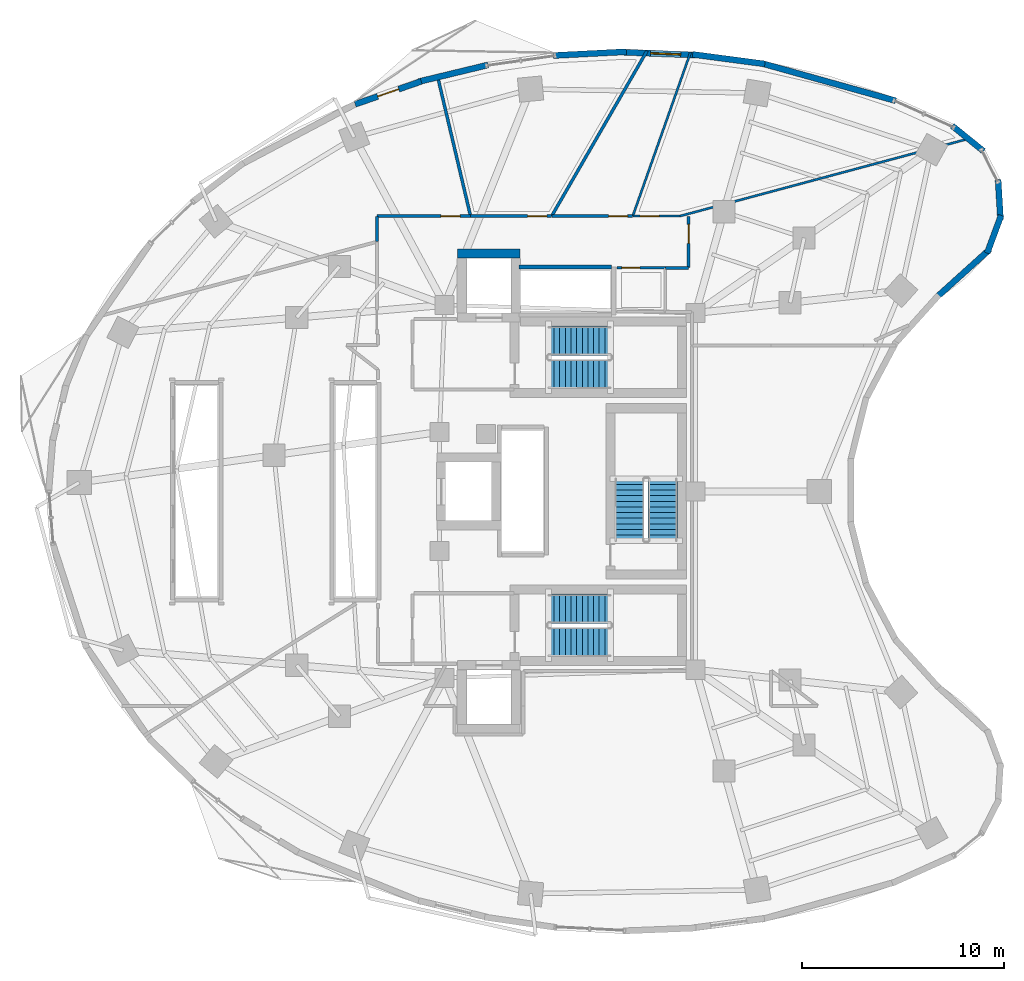
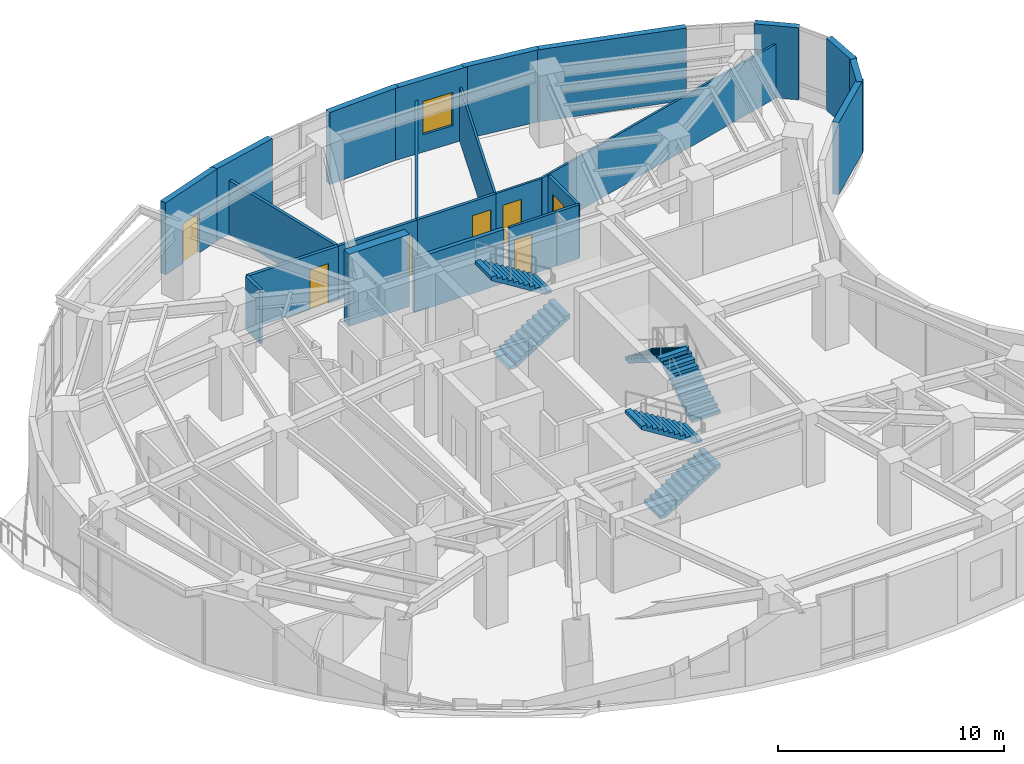
# One storey, part 10 of 12: 24 walls, 7 doors, 6 stair flights, 1 window, 8 openings, 3 elements without a shape of their own.
"""IFC4 building model written with IfcOpenShell, lengths in metres."""

from ifc_helpers import new_model, si_unit, direction, frame, frame_2d, origin, place, context, subcontext, project, spatial, polyline, rectangle, outline, extrude, material, layer, layer_set, type_object, element, fill, aggregate, save


model = new_model("IFC4")

# Units and contexts
model_context = context("Model", 3, precision=1e-05, world=origin(), true_north=direction((0.0, 1.0)))
body_context = subcontext(model_context, "Body", "Model", "MODEL_VIEW")
ifc_project = project(units=[si_unit("LENGTHUNIT", "METRE"), si_unit("AREAUNIT", "SQUARE_METRE"), si_unit("VOLUMEUNIT", "CUBIC_METRE"), si_unit("PLANEANGLEUNIT", "RADIAN"), si_unit("MASSUNIT", "GRAM", prefix="KILO")], contexts=[model_context])

# Site, building, storey
site_placement = place(None, origin())
site = spatial("IfcSite", under=ifc_project, at=site_placement, CompositionType="ELEMENT")
building_placement = place(site_placement, origin())
building = spatial("IfcBuilding", under=site, at=building_placement, Name="Korentha Bioscience Tower", CompositionType="ELEMENT")
storey_placement = place(building_placement, frame((0.0, 0.0, 136.199951171875)))
storey = spatial("IfcBuildingStorey", under=building, at=storey_placement, Name="L31", CompositionType="ELEMENT", Elevation=136.199951171875)

# Wall, opening, door
ifc_material_1 = material(Name="Double-Stud Acoustic Gypsum", Category="gypsum")
ifc_layer_1 = layer(ifc_material_1, 0.14990234375, Name="Double-Stud Acoustic Gypsum")
ifc_layer_set_1 = layer_set([ifc_layer_1], Name="Double-Stud Acoustic Gypsum (IW-L150)")
wall_type_1 = type_object("IfcWallType", Name="Acoustic Laboratory Partition Wall 150", PredefinedType="PARTITIONING", material=ifc_layer_set_1)
wall_1_placement = place(storey_placement, frame((37.2099609375, 38.10009765625, 0.0), z_axis=(0.0, 0.0, 1.0), x_axis=(0.0, 1.0, 0.0)))
wall_1 = element("IfcWall", 1, at=wall_1_placement, inside=storey, type_object=wall_type_1, Name="L31 Principal Investigator Office 03 Entrance Wall", PredefinedType="PARTITIONING", context=body_context, shape_type="SweptSolid", body=[
    extrude(rectangle(XDim=2.5498046875, YDim=0.14990234375, at=frame_2d((1.27490234375, 0.0))), origin(), (0.0, 0.0, 1.0), 2.91015625),
])
opening_1_placement = place(wall_1_placement, frame((1.199951171875, 0.0, 0.0)))
opening_1 = element("IfcOpeningElement", 2, at=opening_1_placement, cuts=wall_1, Name="Opening ID-10L", PredefinedType="OPENING", context=body_context, shape_type="SweptSolid", body=[
    extrude(rectangle(XDim=0.949951171875, YDim=2.14990234375, at=frame_2d((0.47509765625, 1.074951171875))), frame((0.0, 0.08984375, 0.0), z_axis=(0.0, -1.0, 0.0), x_axis=(1.0, 0.0, 0.0)), (0.0, 0.0, 1.0), 0.1796875),
])
ifc_material_2 = material(Name="Phenolic Laminate Timber Core", Category="wood")
door_type_1 = type_object("IfcDoorType", Name="Laboratory Single Leaf Door 950x2150 Left", OperationType="SINGLE_SWING_LEFT", PredefinedType="DOOR", material=ifc_material_2)
door_1_placement = place(opening_1_placement, origin())
door_1 = element("IfcDoor", 3, at=door_1_placement, inside=storey, type_object=door_type_1, Name="L31 Principal Investigator Office 03 Door", OperationType="SINGLE_SWING_LEFT", OverallHeight=2.14990234375, OverallWidth=0.949951171875, PredefinedType="DOOR", context=body_context, shape_type="SweptSolid", body=[
    extrude(rectangle(XDim=0.949951171875, YDim=2.14990234375, at=frame_2d((0.47509765625, 1.074951171875))), frame((0.0, 0.02490234375, 0.0), z_axis=(0.0, -1.0, 0.0), x_axis=(1.0, 0.0, 0.0)), (0.0, 0.0, 1.0), 0.050048828125),
])
fill(opening_1, door_1)

wall_2_placement = place(storey_placement, frame((30.409912109375, 40.659912109375, 0.0), z_axis=(0.0, 0.0, 1.0), x_axis=(-1.0, 0.0, 0.0)))
wall_2 = element("IfcWall", 4, at=wall_2_placement, inside=storey, type_object=wall_type_1, Name="L31 Staff Pantry Kitchenette 04 Entrance Wall", PredefinedType="PARTITIONING", context=body_context, shape_type="SweptSolid", body=[
    extrude(rectangle(XDim=4.024658203125, YDim=0.14990234375, at=frame_2d((2.01220703125, 0.0))), origin(), (0.0, 0.0, 1.0), 2.91015625),
])
opening_2_placement = place(wall_2_placement, frame((0.239990234375, 0.0, 0.0)))
opening_2 = element("IfcOpeningElement", 5, at=opening_2_placement, cuts=wall_2, Name="Opening ID-10R", PredefinedType="OPENING", context=body_context, shape_type="SweptSolid", body=[
    extrude(rectangle(XDim=0.949951171875, YDim=2.14990234375, at=frame_2d((0.47509765625, 1.074951171875))), frame((0.0, 0.08984375, 0.0), z_axis=(0.0, -1.0, 0.0), x_axis=(1.0, 0.0, 0.0)), (0.0, 0.0, 1.0), 0.1796875),
])
door_type_2 = type_object("IfcDoorType", Name="Laboratory Single Leaf Door 950x2150 Right", OperationType="SINGLE_SWING_RIGHT", PredefinedType="DOOR", material=ifc_material_2)
door_2_placement = place(opening_2_placement, origin())
door_2 = element("IfcDoor", 6, at=door_2_placement, inside=storey, type_object=door_type_2, Name="L31 Staff Pantry Kitchenette 04 Door", OperationType="SINGLE_SWING_RIGHT", OverallHeight=2.14990234375, OverallWidth=0.949951171875, PredefinedType="DOOR", context=body_context, shape_type="SweptSolid", body=[
    extrude(rectangle(XDim=0.949951171875, YDim=2.14990234375, at=frame_2d((0.47509765625, 1.074951171875))), frame((0.0, 0.02490234375, 0.0), z_axis=(0.0, -1.0, 0.0), x_axis=(1.0, 0.0, 0.0)), (0.0, 0.0, 1.0), 0.050048828125),
])
fill(opening_2, door_2)

wall_3_placement = place(storey_placement, frame((34.422607421875, 40.659912109375, 0.0), z_axis=(0.0, 0.0, 1.0), x_axis=(-1.0, 0.0, 0.0)))
wall_3 = element("IfcWall", 7, at=wall_3_placement, inside=storey, type_object=wall_type_1, Name="L31 Colloquium Huddle Room 05 Entrance Wall", PredefinedType="PARTITIONING", context=body_context, shape_type="SweptSolid", body=[
    extrude(rectangle(XDim=4.001220703125, YDim=0.14990234375, at=frame_2d((2.00048828125, 0.0))), origin(), (0.0, 0.0, 1.0), 2.91015625),
])
opening_3_placement = place(wall_3_placement, frame((0.239990234375, 0.0, 0.0)))
opening_3 = element("IfcOpeningElement", 8, at=opening_3_placement, cuts=wall_3, Name="Opening ID-10L", PredefinedType="OPENING", context=body_context, shape_type="SweptSolid", body=[
    extrude(rectangle(XDim=0.949951171875, YDim=2.14990234375, at=frame_2d((0.47509765625, 1.074951171875))), frame((0.0, 0.08984375, 0.0), z_axis=(0.0, -1.0, 0.0), x_axis=(1.0, 0.0, 0.0)), (0.0, 0.0, 1.0), 0.1796875),
])
door_3_placement = place(opening_3_placement, origin())
door_3 = element("IfcDoor", 9, at=door_3_placement, inside=storey, type_object=door_type_1, Name="L31 Colloquium Huddle Room 05 Door", OperationType="SINGLE_SWING_LEFT", OverallHeight=2.14990234375, OverallWidth=0.949951171875, PredefinedType="DOOR", context=body_context, shape_type="SweptSolid", body=[
    extrude(rectangle(XDim=0.949951171875, YDim=2.14990234375, at=frame_2d((0.47509765625, 1.074951171875))), frame((0.0, 0.02490234375, 0.0), z_axis=(0.0, -1.0, 0.0), x_axis=(1.0, 0.0, 0.0)), (0.0, 0.0, 1.0), 0.050048828125),
])
fill(opening_3, door_3)

# Walls
wall_4_placement = place(storey_placement, frame((36.06005859375, 38.090087890625, 0.0), z_axis=(0.0, 0.0, 1.0), x_axis=(1.0, 0.0, 0.0)))
element("IfcWall", 10, at=wall_4_placement, inside=storey, type_object=wall_type_1, Name="L31 Interior Partition 033", PredefinedType="PARTITIONING", context=body_context, shape_type="SweptSolid", body=[
    extrude(rectangle(XDim=1.139892578125, YDim=0.14990234375, at=frame_2d((0.56982421875, 0.0))), origin(), (0.0, 0.0, 1.0), 2.91015625),
])
wall_5_placement = place(storey_placement, frame((35.139404296875, 48.85205078125, 0.0), z_axis=(0.0, 0.0, 1.0), x_axis=(-0.499980869596, -0.866036448446, 0.0)))
element("IfcWall", 11, at=wall_5_placement, inside=storey, type_object=wall_type_1, Name="L31 Interior Partition 034", PredefinedType="PARTITIONING", context=body_context, shape_type="SweptSolid", body=[
    extrude(rectangle(XDim=9.459228515625, YDim=0.14990234375, at=frame_2d((4.7294921875, 0.0))), origin(), (0.0, 0.0, 1.0), 2.91015625),
])
wall_6_placement = place(storey_placement, frame((26.38525390625, 40.659912109375, 0.0), z_axis=(0.0, 0.0, 1.0), x_axis=(-0.229741864883, 0.97325159929, 0.0)))
element("IfcWall", 12, at=wall_6_placement, inside=storey, type_object=wall_type_1, Name="L31 Interior Partition 035", PredefinedType="PARTITIONING", context=body_context, shape_type="SweptSolid", body=[
    extrude(rectangle(XDim=7.204833984375, YDim=0.14990234375, at=frame_2d((3.6025390625, 0.0))), origin(), (0.0, 0.0, 1.0), 2.91015625),
])

# Wall, opening, door
ifc_material_3 = material(Name="Fire-Rated Framed Glass", Category="glass")
ifc_layer_2 = layer(ifc_material_3, 0.110107421875, Name="Fire-Rated Framed Glass")
ifc_layer_set_2 = layer_set([ifc_layer_2], Name="Fire-Rated Framed Glass (IW-G110)")
wall_type_2 = type_object("IfcWallType", Name="Demountable Glazed Office Partition 110", PredefinedType="MOVABLE", material=ifc_layer_set_2)
wall_7_placement = place(storey_placement, frame((36.776123046875, 40.659912109375, 0.0), z_axis=(0.0, 0.0, 1.0), x_axis=(-1.0, 0.0, 0.0)))
wall_7 = element("IfcWall", 13, at=wall_7_placement, inside=storey, type_object=wall_type_2, Name="L31 Principal Investigator Office 02 Entrance Wall", PredefinedType="MOVABLE", context=body_context, shape_type="SweptSolid", body=[
    extrude(rectangle(XDim=2.343505859375, YDim=0.110107421875, at=frame_2d((1.171875, 0.0))), origin(), (0.0, 0.0, 1.0), 2.91015625),
])
opening_4_placement = place(wall_7_placement, frame((1.033203125, 0.0, 0.0)))
opening_4 = element("IfcOpeningElement", 14, at=opening_4_placement, cuts=wall_7, Name="Opening ID-10R", PredefinedType="OPENING", context=body_context, shape_type="SweptSolid", body=[
    extrude(rectangle(XDim=0.949951171875, YDim=2.14990234375, at=frame_2d((0.47509765625, 1.074951171875))), frame((0.0, 0.06982421875, 0.0), z_axis=(0.0, -1.0, 0.0), x_axis=(1.0, 0.0, 0.0)), (0.0, 0.0, 1.0), 0.139892578125),
])
door_4_placement = place(opening_4_placement, origin())
door_4 = element("IfcDoor", 15, at=door_4_placement, inside=storey, type_object=door_type_2, Name="L31 Principal Investigator Office 02 Door", OperationType="SINGLE_SWING_RIGHT", OverallHeight=2.14990234375, OverallWidth=0.949951171875, PredefinedType="DOOR", context=body_context, shape_type="SweptSolid", body=[
    extrude(rectangle(XDim=0.949951171875, YDim=2.14990234375, at=frame_2d((0.47509765625, 1.074951171875))), frame((0.0, 0.02490234375, 0.0), z_axis=(0.0, -1.0, 0.0), x_axis=(1.0, 0.0, 0.0)), (0.0, 0.0, 1.0), 0.050048828125),
])
fill(opening_4, door_4)

# Walls
wall_8_placement = place(storey_placement, frame((51.16162109375, 44.5146484375, 0.0), z_axis=(0.0, 0.0, 1.0), x_axis=(-0.965923245436, -0.258828676785, 0.0)))
element("IfcWall", 16, at=wall_8_placement, inside=storey, type_object=wall_type_2, Name="L31 Interior Partition 028", PredefinedType="MOVABLE", context=body_context, shape_type="SweptSolid", body=[
    extrude(rectangle(XDim=14.89306640625, YDim=0.110107421875, at=frame_2d((7.446533203125, 0.0))), origin(), (0.0, 0.0, 1.0), 2.91015625),
])
wall_9_placement = place(storey_placement, frame((34.4326171875, 40.659912109375, 0.0), z_axis=(0.0, 0.0, 1.0), x_axis=(0.332889773539, 0.942965746288, 0.0)))
element("IfcWall", 17, at=wall_9_placement, inside=storey, type_object=wall_type_2, Name="L31 Interior Partition 029", PredefinedType="MOVABLE", context=body_context, shape_type="SweptSolid", body=[
    extrude(rectangle(XDim=8.61669921875, YDim=0.110107421875, at=frame_2d((4.308349609375, 0.0))), origin(), (0.0, 0.0, 1.0), 2.91015625),
])

# Wall, opening, door
ifc_material_4 = material(Name="Gypsum-Clad Steel Stud", Category="steel")
ifc_layer_3 = layer(ifc_material_4, 0.159912109375, Name="Gypsum-Clad Steel Stud")
ifc_layer_set_3 = layer_set([ifc_layer_3], Name="Gypsum-Clad Steel Stud (IW-C160)")
wall_type_3 = type_object("IfcWallType", Name="Fire-Rated Corridor Partition Wall 160", PredefinedType="PARTITIONING", material=ifc_layer_set_3)
wall_10_placement = place(storey_placement, frame((26.375, 40.659912109375, 0.0), z_axis=(0.0, 0.0, 1.0), x_axis=(-1.0, 0.0, 0.0)))
wall_10 = element("IfcWall", 18, at=wall_10_placement, inside=storey, type_object=wall_type_3, Name="L31 Specimen Barcoding Receiving Room 07 Entrance Wall", PredefinedType="PARTITIONING", context=body_context, shape_type="SweptSolid", body=[
    extrude(rectangle(XDim=4.625, YDim=0.159912109375, at=frame_2d((2.3125, 0.0))), origin(), (0.0, 0.0, 1.0), 2.91015625),
])
opening_5_placement = place(wall_10_placement, frame((0.510498046875, 0.0, 0.0)))
opening_5 = element("IfcOpeningElement", 19, at=opening_5_placement, cuts=wall_10, Name="Opening ID-10L", PredefinedType="OPENING", context=body_context, shape_type="SweptSolid", body=[
    extrude(rectangle(XDim=0.949951171875, YDim=2.14990234375, at=frame_2d((0.47509765625, 1.074951171875))), frame((0.0, 0.0947265625, 0.0), z_axis=(0.0, -1.0, 0.0), x_axis=(1.0, 0.0, 0.0)), (0.0, 0.0, 1.0), 0.189697265625),
])
door_5_placement = place(opening_5_placement, origin())
door_5 = element("IfcDoor", 20, at=door_5_placement, inside=storey, type_object=door_type_1, Name="L31 Specimen Barcoding Receiving Room 07 Door", OperationType="SINGLE_SWING_LEFT", OverallHeight=2.14990234375, OverallWidth=0.949951171875, PredefinedType="DOOR", context=body_context, shape_type="SweptSolid", body=[
    extrude(rectangle(XDim=0.949951171875, YDim=2.14990234375, at=frame_2d((0.47509765625, 1.074951171875))), frame((0.0, 0.02490234375, 0.0), z_axis=(0.0, -1.0, 0.0), x_axis=(1.0, 0.0, 0.0)), (0.0, 0.0, 1.0), 0.050048828125),
])
fill(opening_5, door_5)

# Wall
wall_11_placement = place(storey_placement, frame((21.739990234375, 40.64990234375, 0.0), z_axis=(0.0, 0.0, 1.0), x_axis=(0.0, -1.0, 0.0)))
element("IfcWall", 21, at=wall_11_placement, inside=storey, type_object=wall_type_3, Name="L31 Interior Partition 048", PredefinedType="PARTITIONING", context=body_context, shape_type="SweptSolid", body=[
    extrude(rectangle(XDim=1.25732421875, YDim=0.159912109375, at=frame_2d((0.628662109375, 0.0))), origin(), (0.0, 0.0, 1.0), 2.91015625),
])

# Wall, opening, window
ifc_material_5 = material(Name="Honed Limestone Precast Concrete C40", Category="masonry")
ifc_layer_4 = layer(ifc_material_5, 0.300048828125, Name="Honed Limestone Precast Concrete C40")
ifc_layer_set_4 = layer_set([ifc_layer_4], Name="Honed Limestone Precast Concrete C40 (EW-ST300)")
wall_type_4 = type_object("IfcWallType", Name="Honed Limestone Cavity Spandrel Wall 300", PredefinedType="STANDARD", material=ifc_layer_set_4)
wall_12_placement = place(storey_placement, frame((37.5537109375, 48.64697265625, 0.0), z_axis=(0.0, 0.0, 1.0), x_axis=(-0.999210691503, 0.039723972445, 0.0)))
wall_12 = element("IfcWall", 22, at=wall_12_placement, inside=storey, type_object=wall_type_4, Name="L31 Honed Limestone Spandrel Wall 05", PredefinedType="STANDARD", context=body_context, shape_type="SweptSolid", body=[
    extrude(rectangle(XDim=3.595458984375, YDim=0.300048828125, at=frame_2d((1.7978515625, 0.0))), origin(), (0.0, 0.0, 1.0), 3.900146484375),
])
opening_6_placement = place(wall_12_placement, frame((0.739013671875, 0.0, 0.949951171875)))
opening_6 = element("IfcOpeningElement", 23, at=opening_6_placement, cuts=wall_12, Name="Opening WN-02", PredefinedType="OPENING", context=body_context, shape_type="SweptSolid", body=[
    extrude(rectangle(XDim=1.5, YDim=1.800048828125, at=frame_2d((0.75, 0.89990234375))), frame((0.0, 0.1650390625, 0.0), z_axis=(0.0, -1.0, 0.0), x_axis=(1.0, 0.0, 0.0)), (0.0, 0.0, 1.0), 0.329833984375),
])
ifc_material_6 = material(Name="Thermally Broken Aluminium Triple Glazing", Category="aluminium")
window_type = type_object("IfcWindowType", Name="Acoustic Operable Office Window 1500x1800", PartitioningType="DOUBLE_PANEL_VERTICAL", PredefinedType="WINDOW", material=ifc_material_6)
window_placement = place(opening_6_placement, origin())
window = element("IfcWindow", 24, at=window_placement, inside=storey, type_object=window_type, Name="L31 Facade Window 05", OverallHeight=1.800048828125, OverallWidth=1.5, PartitioningType="DOUBLE_PANEL_VERTICAL", PredefinedType="WINDOW", context=body_context, shape_type="SweptSolid", body=[
    extrude(rectangle(XDim=1.5, YDim=1.800048828125, at=frame_2d((0.75, 0.89990234375))), frame((0.0, 0.030029296875, 0.0), z_axis=(0.0, -1.0, 0.0), x_axis=(1.0, 0.0, 0.0)), (0.0, 0.0, 1.0), 0.06005859375),
])
fill(opening_6, window)

# Wall, opening, door
wall_13_placement = place(storey_placement, frame((23.938232421875, 47.34326171875, 0.0), z_axis=(0.0, 0.0, 1.0), x_axis=(-0.944878029854, -0.3274225232, 0.0)))
wall_13 = element("IfcWall", 25, at=wall_13_placement, inside=storey, type_object=wall_type_4, Name="L31 Balcony Threshold Wall 01", PredefinedType="STANDARD", context=body_context, shape_type="SweptSolid", body=[
    extrude(rectangle(XDim=3.46728515625, YDim=0.300048828125, at=frame_2d((1.733642578125, 0.0))), origin(), (0.0, 0.0, 1.0), 3.900146484375),
])
opening_7_placement = place(wall_13_placement, frame((1.18359375, 0.0, 0.0)))
opening_7 = element("IfcOpeningElement", 26, at=opening_7_placement, cuts=wall_13, Name="Opening BD-11L", PredefinedType="OPENING", context=body_context, shape_type="SweptSolid", body=[
    extrude(rectangle(XDim=1.10009765625, YDim=2.14990234375, at=frame_2d((0.550048828125, 1.074951171875))), frame((0.0, 0.1650390625, 0.0), z_axis=(0.0, -1.0, 0.0), x_axis=(1.0, 0.0, 0.0)), (0.0, 0.0, 1.0), 0.329833984375),
])
ifc_material_7 = material(Name="Thermally Broken Glazed Aluminium", Category="aluminium")
door_type_3 = type_object("IfcDoorType", Name="Balcony Terrace Glazed Door 1100x2150 Left", OperationType="SINGLE_SWING_LEFT", PredefinedType="DOOR", material=ifc_material_7)
door_6_placement = place(opening_7_placement, origin())
door_6 = element("IfcDoor", 27, at=door_6_placement, inside=storey, type_object=door_type_3, Name="L31 Balcony Access Door 01", OperationType="SINGLE_SWING_LEFT", OverallHeight=2.14990234375, OverallWidth=1.10009765625, PredefinedType="DOOR", context=body_context, shape_type="SweptSolid", body=[
    extrude(rectangle(XDim=1.10009765625, YDim=2.14990234375, at=frame_2d((0.550048828125, 1.074951171875))), frame((0.0, 0.02490234375, 0.0), z_axis=(0.0, -1.0, 0.0), x_axis=(1.0, 0.0, 0.0)), (0.0, 0.0, 1.0), 0.050048828125),
])
fill(opening_7, door_6)

# Walls
wall_14_placement = place(storey_placement, frame((47.47900390625, 46.380126953125, 0.0), z_axis=(0.0, 0.0, 1.0), x_axis=(-0.963116215402, 0.269085777459, 0.0)))
element("IfcWall", 28, at=wall_14_placement, inside=storey, type_object=wall_type_4, Name="L31 Limestone Perimeter Closure Wall 02", PredefinedType="STANDARD", context=body_context, shape_type="SweptSolid", body=[
    extrude(rectangle(XDim=6.923583984375, YDim=0.300048828125, at=frame_2d((3.4619140625, 0.0))), origin(), (0.0, 0.0, 1.0), 3.900146484375),
])
wall_15_placement = place(storey_placement, frame((40.986572265625, 48.20703125, 0.0), z_axis=(0.0, 0.0, 1.0), x_axis=(-0.991372969521, 0.131071107816, 0.0)))
element("IfcWall", 29, at=wall_15_placement, inside=storey, type_object=wall_type_4, Name="L31 Limestone Perimeter Closure Wall 04", PredefinedType="STANDARD", context=body_context, shape_type="SweptSolid", body=[
    extrude(rectangle(XDim=3.615478515625, YDim=0.300048828125, at=frame_2d((1.8076171875, 0.0))), origin(), (0.0, 0.0, 1.0), 3.900146484375),
])
wall_16_placement = place(storey_placement, frame((34.114501953125, 48.8115234375, 0.0), z_axis=(0.0, 0.0, 1.0), x_axis=(-0.998674767218, -0.051465613004, 0.0)))
element("IfcWall", 30, at=wall_16_placement, inside=storey, type_object=wall_type_4, Name="L31 Limestone Perimeter Closure Wall 06", PredefinedType="STANDARD", context=body_context, shape_type="SweptSolid", body=[
    extrude(rectangle(XDim=3.6337890625, YDim=0.300048828125, at=frame_2d((1.81689453125, 0.0))), origin(), (0.0, 0.0, 1.0), 3.900146484375),
])
wall_17_placement = place(storey_placement, frame((27.2529296875, 48.157958984375, 0.0), z_axis=(0.0, 0.0, 1.0), x_axis=(-0.972043452321, -0.234801036625, 0.0)))
element("IfcWall", 31, at=wall_17_placement, inside=storey, type_object=wall_type_4, Name="L31 Limestone Perimeter Closure Wall 08", PredefinedType="STANDARD", context=body_context, shape_type="SweptSolid", body=[
    extrude(rectangle(XDim=3.568603515625, YDim=0.300048828125, at=frame_2d((1.7841796875, 0.0))), origin(), (0.0, 0.0, 1.0), 3.900146484375),
])
wall_18_placement = place(storey_placement, frame((49.51318359375, 36.6357421875, 0.0), z_axis=(0.0, 0.0, 1.0), x_axis=(0.74255963233, 0.669779958221, 0.0)))
element("IfcWall", 32, at=wall_18_placement, inside=storey, type_object=wall_type_4, Name="L31 Limestone Perimeter Closure Wall 57", PredefinedType="STANDARD", context=body_context, shape_type="SweptSolid", body=[
    extrude(rectangle(XDim=3.5390625, YDim=0.300048828125, at=frame_2d((1.76953125, 0.0))), origin(), (0.0, 0.0, 1.0), 3.900146484375),
])
wall_19_placement = place(storey_placement, frame((52.016357421875, 38.822265625, 0.0), z_axis=(0.0, 0.0, 1.0), x_axis=(0.347370087337, 0.937728117539, 0.0)))
element("IfcWall", 33, at=wall_19_placement, inside=storey, type_object=wall_type_4, Name="L31 Limestone Perimeter Closure Wall 59", PredefinedType="STANDARD", context=body_context, shape_type="SweptSolid", body=[
    extrude(rectangle(XDim=1.997314453125, YDim=0.300048828125, at=frame_2d((0.99853515625, 0.0))), origin(), (0.0, 0.0, 1.0), 3.900146484375),
])
for number, where, z_axis, x_axis, name in (
    (34, (52.678955078125, 40.4833984375, 0.0), (0.0, 0.0, 1.0), (-0.060255200356, 0.998183004679, 0.0), "L31 Limestone Perimeter Closure Wall 60"),
    (35, (51.83642578125, 43.880615234375, 0.0), (0.0, 0.0, 1.0), (-0.777338789647, 0.629082193445, 0.0), "L31 Limestone Perimeter Closure Wall 62"),
):
    element("IfcWall", number, at=place(storey_placement, frame(where, z_axis=z_axis, x_axis=x_axis)), inside=storey, type_object=wall_type_4, Name=name, PredefinedType="STANDARD", context=body_context, shape_type="SweptSolid", body=[
        extrude(rectangle(XDim=1.99755859375, YDim=0.300048828125, at=frame_2d((0.998779296875, 0.0))), origin(), (0.0, 0.0, 1.0), 3.900146484375),
    ])
ifc_material_8 = material(Name="Autoclaved Aerated Concrete Block C25", Category="concrete")
ifc_layer_5 = layer(ifc_material_8, 0.199951171875, Name="Autoclaved Aerated Concrete Block C25")
ifc_layer_set_5 = layer_set([ifc_layer_5], Name="Autoclaved Aerated Concrete Block C25 (IW-S200)")
wall_type_5 = type_object("IfcWallType", Name="Lift and Riser Shaft Enclosure Wall 200", PredefinedType="PARTITIONING", material=ifc_layer_set_5)
wall_20_placement = place(storey_placement, frame((28.800048828125, 38.139892578125, 0.0), z_axis=(0.0, 0.0, 1.0), x_axis=(1.0, 0.0, 0.0)))
element("IfcWall", 36, at=wall_20_placement, inside=storey, type_object=wall_type_5, Name="L31 Lift Bank OBS Shaft Wall +Y", PredefinedType="PARTITIONING", context=body_context, shape_type="SweptSolid", body=[
    extrude(rectangle(XDim=4.570068359375, YDim=0.199951171875, at=frame_2d((2.28515625, 0.0))), origin(), (0.0, 0.0, 1.0), 2.91015625),
])
ifc_material_9 = material(Name="Concrete C80", Category="concrete")
ifc_layer_6 = layer(ifc_material_9, 0.449951171875, Name="Concrete C80")
ifc_layer_set_6 = layer_set([ifc_layer_6], Name="Concrete C80 (CW-C80)")
wall_type_6 = type_object("IfcWallType", Name="Lower Core Shear Wall 450", PredefinedType="SHEAR", material=ifc_layer_set_6)
wall_21_placement = place(storey_placement, frame((25.75, 38.800048828125, 0.0), z_axis=(0.0, 0.0, 1.0), x_axis=(1.0, 0.0, 0.0)))
element("IfcWall", 37, at=wall_21_placement, inside=storey, type_object=wall_type_6, Name="L31 Core Shear Wall FFL2-N", PredefinedType="SHEAR", context=body_context, shape_type="SweptSolid", body=[
    extrude(rectangle(XDim=3.10009765625, YDim=0.449951171875, at=frame_2d((1.550048828125, 0.0))), origin(), (0.0, 0.0, 1.0), 3.900146484375),
])

# Wall, opening, door
ifc_material_10 = material(Name="Cement-Board Steel Stud", Category="steel")
ifc_layer_7 = layer(ifc_material_10, 0.1298828125, Name="Cement-Board Steel Stud")
ifc_layer_set_7 = layer_set([ifc_layer_7], Name="Cement-Board Steel Stud (IW-W130)")
wall_type_7 = type_object("IfcWallType", Name="Wet-Area Moisture-Resistant Partition 130", PredefinedType="PARTITIONING", material=ifc_layer_set_7)
wall_22_placement = place(storey_placement, frame((33.64990234375, 38.090087890625, 0.0), z_axis=(0.0, 0.0, 1.0), x_axis=(1.0, 0.0, 0.0)))
wall_22 = element("IfcWall", 38, at=wall_22_placement, inside=storey, type_object=wall_type_7, Name="L31 Accessible Staff WC Entrance Wall", PredefinedType="PARTITIONING", context=body_context, shape_type="SweptSolid", body=[
    extrude(rectangle(XDim=2.400146484375, YDim=0.1298828125, at=frame_2d((1.2001953125, 0.0))), origin(), (0.0, 0.0, 1.0), 2.91015625),
])
opening_8_placement = place(wall_22_placement, frame((0.239990234375, 0.0, 0.0)))
opening_8 = element("IfcOpeningElement", 39, at=opening_8_placement, cuts=wall_22, Name="Opening ID-09R", PredefinedType="OPENING", context=body_context, shape_type="SweptSolid", body=[
    extrude(rectangle(XDim=0.89990234375, YDim=2.14990234375, at=frame_2d((0.449951171875, 1.074951171875))), frame((0.0, 0.079833984375, 0.0), z_axis=(0.0, -1.0, 0.0), x_axis=(1.0, 0.0, 0.0)), (0.0, 0.0, 1.0), 0.15966796875),
])
ifc_material_11 = material(Name="Moisture-Resistant HPL Leaf", Category="wood")
door_type_4 = type_object("IfcDoorType", Name="Restroom & Accessible WC Door 900x2150 Right", OperationType="SINGLE_SWING_RIGHT", PredefinedType="DOOR", material=ifc_material_11)
door_7_placement = place(opening_8_placement, origin())
door_7 = element("IfcDoor", 40, at=door_7_placement, inside=storey, type_object=door_type_4, Name="L31 Accessible Staff WC Door", OperationType="SINGLE_SWING_RIGHT", OverallHeight=2.14990234375, OverallWidth=0.89990234375, PredefinedType="DOOR", context=body_context, shape_type="SweptSolid", body=[
    extrude(rectangle(XDim=0.89990234375, YDim=2.14990234375, at=frame_2d((0.449951171875, 1.074951171875))), frame((0.0, 0.02490234375, 0.0), z_axis=(0.0, -1.0, 0.0), x_axis=(1.0, 0.0, 0.0)), (0.0, 0.0, 1.0), 0.050048828125),
])
fill(opening_8, door_7)

# Stair, stair flights
ifc_material_12 = material(Name="Precast Concrete C50", Category="concrete")
stair_type = type_object("IfcStairType", Name="Core Exit Dog-Leg Stair 1450", PredefinedType="HALF_TURN_STAIR", material=ifc_material_12)
stair_1_placement = place(storey_placement, origin())
stair_1 = element("IfcStair", 41, at=stair_1_placement, inside=storey, type_object=stair_type, Name="L31 Tower North Pressurized Exit Stair ST-1", PredefinedType="HALF_TURN_STAIR")
stair_flight_type = type_object("IfcStairFlightType", Name="Core Exit Dog-Leg Stair 1450 Flight", PredefinedType="STRAIGHT", material=ifc_material_12)
stair_flight_1_placement = place(storey_placement, frame((30.25, 32.824951171875, 0.0), z_axis=(0.0, 0.0, 1.0), x_axis=(1.0, 0.0, 0.0)))
stair_flight_1 = element("IfcStairFlight", 42, at=stair_flight_1_placement, type_object=stair_flight_type, Name="ST-1 flight 1", NumberOfRisers=12, NumberOfTreads=11, PredefinedType="STRAIGHT", RiserHeight=0.175, TreadLength=0.28, context=body_context, shape_type="SweptSolid", body=[
    extrude(outline(polyline([(0.0, 0.0), (0.0, 0.175048828125), (0.280029296875, 0.175048828125), (0.280029296875, 0.35009765625), (0.56005859375, 0.35009765625), (0.56005859375, 0.52490234375), (0.840087890625, 0.52490234375), (0.840087890625, 0.699951171875), (1.1201171875, 0.699951171875), (1.1201171875, 0.875), (1.39990234375, 0.875), (1.39990234375, 1.050048828125), (1.679931640625, 1.050048828125), (1.679931640625, 1.22509765625), (1.9599609375, 1.22509765625), (1.9599609375, 1.39990234375), (2.239990234375, 1.39990234375), (2.239990234375, 1.574951171875), (2.52001953125, 1.574951171875), (2.52001953125, 1.75), (2.800048828125, 1.75), (2.800048828125, 1.925048828125), (3.080078125, 1.925048828125), (3.080078125, 2.10009765625), (3.080078125, 1.736328125), (0.3017578125, 0.0), (0.0, 0.0)])), frame((0.0, 0.72509765625, 0.0), z_axis=(0.0, -1.0, 0.0), x_axis=(1.0, 0.0, 0.0)), (0.0, 0.0, 1.0), 1.449951171875),
])
stair_flight_2_placement = place(storey_placement, frame((33.330078125, 34.47509765625, 2.10009765625), z_axis=(0.0, 0.0, 1.0), x_axis=(-1.0, 0.0, 0.0)))
stair_flight_2 = element("IfcStairFlight", 43, at=stair_flight_2_placement, type_object=stair_flight_type, Name="ST-1 flight 2", NumberOfRisers=12, NumberOfTreads=11, PredefinedType="STRAIGHT", RiserHeight=0.175, TreadLength=0.28, context=body_context, shape_type="SweptSolid", body=[
    extrude(outline(polyline([(0.0, 0.0), (0.0, 0.175048828125), (0.280029296875, 0.175048828125), (0.280029296875, 0.35009765625), (0.56005859375, 0.35009765625), (0.56005859375, 0.52490234375), (0.840087890625, 0.52490234375), (0.840087890625, 0.699951171875), (1.1201171875, 0.699951171875), (1.1201171875, 0.875), (1.39990234375, 0.875), (1.39990234375, 1.050048828125), (1.679931640625, 1.050048828125), (1.679931640625, 1.22509765625), (1.9599609375, 1.22509765625), (1.9599609375, 1.39990234375), (2.239990234375, 1.39990234375), (2.239990234375, 1.574951171875), (2.52001953125, 1.574951171875), (2.52001953125, 1.75), (2.800048828125, 1.75), (2.800048828125, 1.925048828125), (3.080078125, 1.925048828125), (3.080078125, 2.10009765625), (3.080078125, 1.736328125), (0.3017578125, 0.0), (0.0, 0.0)])), frame((0.0, 0.72509765625, 0.0), z_axis=(0.0, -1.0, 0.0), x_axis=(1.0, 0.0, 0.0)), (0.0, 0.0, 1.0), 1.449951171875),
])
aggregate(stair_1, [stair_flight_1, stair_flight_2])

stair_2_placement = place(storey_placement, origin())
stair_2 = element("IfcStair", 44, at=stair_2_placement, inside=storey, type_object=stair_type, Name="L31 Tower South Pressurized Exit Stair ST-2", PredefinedType="HALF_TURN_STAIR")
stair_flight_3_placement = place(storey_placement, frame((30.25, 19.52490234375, 0.0), z_axis=(0.0, 0.0, 1.0), x_axis=(1.0, 0.0, 0.0)))
stair_flight_3 = element("IfcStairFlight", 45, at=stair_flight_3_placement, type_object=stair_flight_type, Name="ST-2 flight 1", NumberOfRisers=12, NumberOfTreads=11, PredefinedType="STRAIGHT", RiserHeight=0.175, TreadLength=0.28, context=body_context, shape_type="SweptSolid", body=[
    extrude(outline(polyline([(0.0, 0.0), (0.0, 0.175048828125), (0.280029296875, 0.175048828125), (0.280029296875, 0.35009765625), (0.56005859375, 0.35009765625), (0.56005859375, 0.52490234375), (0.840087890625, 0.52490234375), (0.840087890625, 0.699951171875), (1.1201171875, 0.699951171875), (1.1201171875, 0.875), (1.39990234375, 0.875), (1.39990234375, 1.050048828125), (1.679931640625, 1.050048828125), (1.679931640625, 1.22509765625), (1.9599609375, 1.22509765625), (1.9599609375, 1.39990234375), (2.239990234375, 1.39990234375), (2.239990234375, 1.574951171875), (2.52001953125, 1.574951171875), (2.52001953125, 1.75), (2.800048828125, 1.75), (2.800048828125, 1.925048828125), (3.080078125, 1.925048828125), (3.080078125, 2.10009765625), (3.080078125, 1.736328125), (0.3017578125, 0.0), (0.0, 0.0)])), frame((0.0, 0.72509765625, 0.0), z_axis=(0.0, -1.0, 0.0), x_axis=(1.0, 0.0, 0.0)), (0.0, 0.0, 1.0), 1.449951171875),
])
stair_flight_4_placement = place(storey_placement, frame((33.330078125, 21.175048828125, 2.10009765625), z_axis=(0.0, 0.0, 1.0), x_axis=(-1.0, 0.0, 0.0)))
stair_flight_4 = element("IfcStairFlight", 46, at=stair_flight_4_placement, type_object=stair_flight_type, Name="ST-2 flight 2", NumberOfRisers=12, NumberOfTreads=11, PredefinedType="STRAIGHT", RiserHeight=0.175, TreadLength=0.28, context=body_context, shape_type="SweptSolid", body=[
    extrude(outline(polyline([(0.0, 0.0), (0.0, 0.175048828125), (0.280029296875, 0.175048828125), (0.280029296875, 0.35009765625), (0.56005859375, 0.35009765625), (0.56005859375, 0.52490234375), (0.840087890625, 0.52490234375), (0.840087890625, 0.699951171875), (1.1201171875, 0.699951171875), (1.1201171875, 0.875), (1.39990234375, 0.875), (1.39990234375, 1.050048828125), (1.679931640625, 1.050048828125), (1.679931640625, 1.22509765625), (1.9599609375, 1.22509765625), (1.9599609375, 1.39990234375), (2.239990234375, 1.39990234375), (2.239990234375, 1.574951171875), (2.52001953125, 1.574951171875), (2.52001953125, 1.75), (2.800048828125, 1.75), (2.800048828125, 1.925048828125), (3.080078125, 1.925048828125), (3.080078125, 2.10009765625), (3.080078125, 1.736328125), (0.3017578125, 0.0), (0.0, 0.0)])), frame((0.0, 0.72509765625, 0.0), z_axis=(0.0, -1.0, 0.0), x_axis=(1.0, 0.0, 0.0)), (0.0, 0.0, 1.0), 1.449951171875),
])
aggregate(stair_2, [stair_flight_3, stair_flight_4])

stair_3_placement = place(storey_placement, origin())
stair_3 = element("IfcStair", 47, at=stair_3_placement, inside=storey, type_object=stair_type, Name="L31 Tower Central Pressurized Exit Stair ST-3", PredefinedType="HALF_TURN_STAIR")
stair_flight_5_placement = place(storey_placement, frame((35.925048828125, 24.550048828125, 0.0), z_axis=(0.0, 0.0, 1.0), x_axis=(0.0, 1.0, 0.0)))
stair_flight_5 = element("IfcStairFlight", 48, at=stair_flight_5_placement, type_object=stair_flight_type, Name="ST-3 flight 1", NumberOfRisers=12, NumberOfTreads=11, PredefinedType="STRAIGHT", RiserHeight=0.175, TreadLength=0.28, context=body_context, shape_type="SweptSolid", body=[
    extrude(outline(polyline([(0.0, 0.0), (0.0, 0.175048828125), (0.280029296875, 0.175048828125), (0.280029296875, 0.35009765625), (0.56005859375, 0.35009765625), (0.56005859375, 0.52490234375), (0.840087890625, 0.52490234375), (0.840087890625, 0.699951171875), (1.1201171875, 0.699951171875), (1.1201171875, 0.875), (1.39990234375, 0.875), (1.39990234375, 1.050048828125), (1.679931640625, 1.050048828125), (1.679931640625, 1.22509765625), (1.9599609375, 1.22509765625), (1.9599609375, 1.39990234375), (2.239990234375, 1.39990234375), (2.239990234375, 1.574951171875), (2.52001953125, 1.574951171875), (2.52001953125, 1.75), (2.800048828125, 1.75), (2.800048828125, 1.925048828125), (3.080078125, 1.925048828125), (3.080078125, 2.10009765625), (3.080078125, 1.736328125), (0.3017578125, 0.0), (0.0, 0.0)])), frame((0.0, 0.72509765625, 0.0), z_axis=(0.0, -1.0, 0.0), x_axis=(1.0, 0.0, 0.0)), (0.0, 0.0, 1.0), 1.449951171875),
])
stair_flight_6_placement = place(storey_placement, frame((34.27490234375, 27.6298828125, 2.10009765625), z_axis=(0.0, 0.0, 1.0), x_axis=(0.0, -1.0, 0.0)))
stair_flight_6 = element("IfcStairFlight", 49, at=stair_flight_6_placement, type_object=stair_flight_type, Name="ST-3 flight 2", NumberOfRisers=12, NumberOfTreads=11, PredefinedType="STRAIGHT", RiserHeight=0.175, TreadLength=0.28, context=body_context, shape_type="SweptSolid", body=[
    extrude(outline(polyline([(0.0, 0.0), (0.0, 0.175048828125), (0.280029296875, 0.175048828125), (0.280029296875, 0.35009765625), (0.56005859375, 0.35009765625), (0.56005859375, 0.52490234375), (0.840087890625, 0.52490234375), (0.840087890625, 0.699951171875), (1.1201171875, 0.699951171875), (1.1201171875, 0.875), (1.39990234375, 0.875), (1.39990234375, 1.050048828125), (1.679931640625, 1.050048828125), (1.679931640625, 1.22509765625), (1.9599609375, 1.22509765625), (1.9599609375, 1.39990234375), (2.239990234375, 1.39990234375), (2.239990234375, 1.574951171875), (2.52001953125, 1.574951171875), (2.52001953125, 1.75), (2.800048828125, 1.75), (2.800048828125, 1.925048828125), (3.080078125, 1.925048828125), (3.080078125, 2.10009765625), (3.080078125, 1.736328125), (0.3017578125, 0.0), (0.0, 0.0)])), frame((0.0, 0.72509765625, 0.0), z_axis=(0.0, -1.0, 0.0), x_axis=(1.0, 0.0, 0.0)), (0.0, 0.0, 1.0), 1.449951171875),
])
aggregate(stair_3, [stair_flight_5, stair_flight_6])

save(model, "model.ifc")
